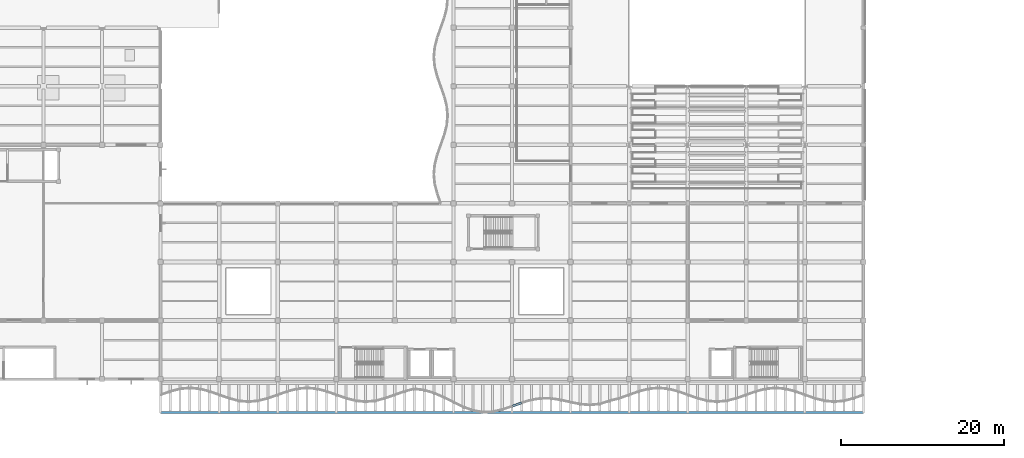
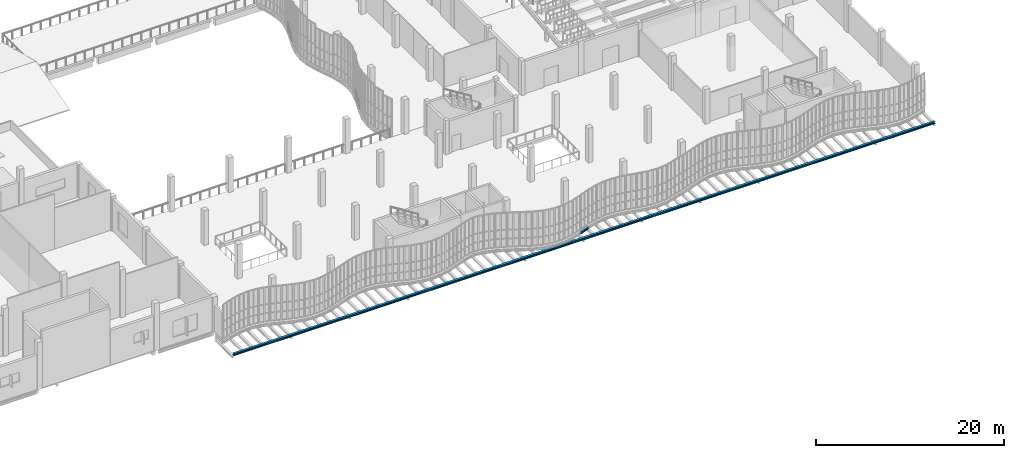
# One storey, part 24 of 105: 2 beams.
"""IFC4 building model written with IfcOpenShell, lengths in metres."""

from ifc_helpers import new_model, si_unit, direction, frame, origin, origin_2d, place, context, subcontext, project, spatial, i_section, extrude, material, material_profile, profile_set, type_object, element, save


model = new_model("IFC4")

# Units and contexts
model_context = context("Model", 3, precision=1e-05, world=origin(), true_north=direction((0.0, 1.0)))
body_context = subcontext(model_context, "Body", "Model", "MODEL_VIEW")
ifc_project = project(units=[si_unit("LENGTHUNIT", "METRE"), si_unit("AREAUNIT", "SQUARE_METRE"), si_unit("VOLUMEUNIT", "CUBIC_METRE"), si_unit("PLANEANGLEUNIT", "RADIAN"), si_unit("MASSUNIT", "GRAM", prefix="KILO"), si_unit("THERMODYNAMICTEMPERATUREUNIT", "KELVIN"), si_unit("POWERUNIT", "WATT")], contexts=[model_context])

# Site, building, storey
site_placement = place(None, origin())
site = spatial("IfcSite", under=ifc_project, at=site_placement, CompositionType="ELEMENT")
building_placement = place(site_placement, origin())
building = spatial("IfcBuilding", under=site, at=building_placement, Name="Kaldorven Railside Theatre", CompositionType="ELEMENT")
storey_placement = place(building_placement, frame((0.0, 0.0, 9.89990234375)))
storey = spatial("IfcBuildingStorey", under=building, at=storey_placement, Name="L02", CompositionType="ELEMENT", Elevation=9.89990234375)

# Beams
ifc_material = material(Name="Steel S355", Category="steel")
ifc_material_profile = material_profile(ifc_material, i_section(OverallWidth=0.280029296875, OverallDepth=0.280029296875, WebThickness=0.010498046875, FlangeThickness=0.01806640625, at=origin_2d()), Name="HEB 280")
ifc_profile_set = profile_set([ifc_material_profile], Name="Steel S355")
beam_type = type_object("IfcBeamType", Name="BM-HEB280", PredefinedType="SPANDREL", material=ifc_profile_set)
beam_1_placement = place(storey_placement, frame((36.800048828125, 15.10009765625, -0.699951171875), z_axis=(1.0, 0.0, 0.0), x_axis=(0.0, 1.0, 0.0)))
element("IfcBeam", 1, at=beam_1_placement, inside=storey, type_object=beam_type, Name="L02 Sinusoidal Out Collector Girder FOB-T025", PredefinedType="SPANDREL", context=body_context, shape_type="SweptSolid", body=[
    extrude(i_section(OverallWidth=0.280029296875, OverallDepth=0.280029296875, WebThickness=0.010498046875, FlangeThickness=0.01806640625, at=origin_2d()), origin(), (0.0, 0.0, 1.0), 86.39990234375),
])
beam_2_placement = place(storey_placement, frame((80.01416015625, 15.8515625, -0.419921875), z_axis=(0.939169047954, 0.343455236333, 0.0), x_axis=(-0.343455236333, 0.939169047954, 0.0)))
element("IfcBeam", 2, at=beam_2_placement, inside=storey, type_object=beam_type, Name="L02 Sinusoidal Flute Edge Spandrel FSB-109", PredefinedType="SPANDREL", context=body_context, shape_type="SweptSolid", body=[
    extrude(i_section(OverallWidth=0.280029296875, OverallDepth=0.280029296875, WebThickness=0.010498046875, FlangeThickness=0.01806640625, at=origin_2d()), origin(), (0.0, 0.0, 1.0), 1.24755859375),
])

save(model, "model.ifc")
